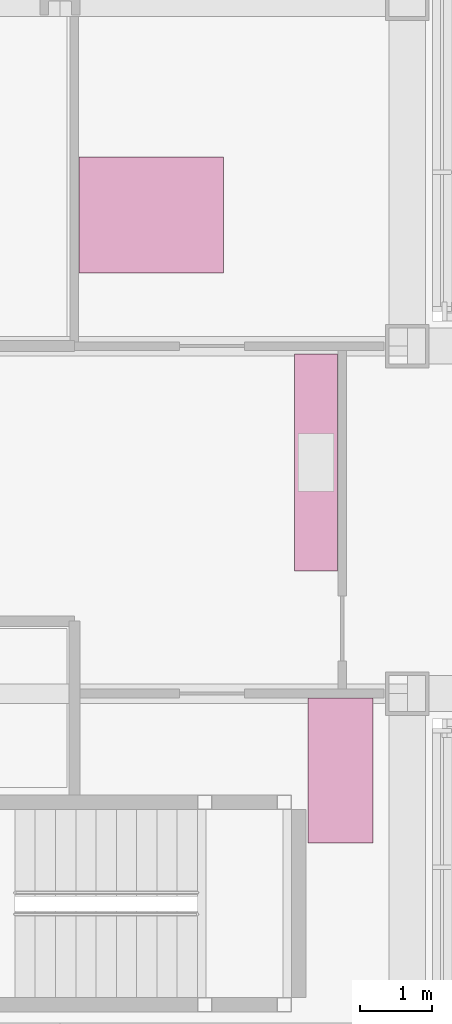
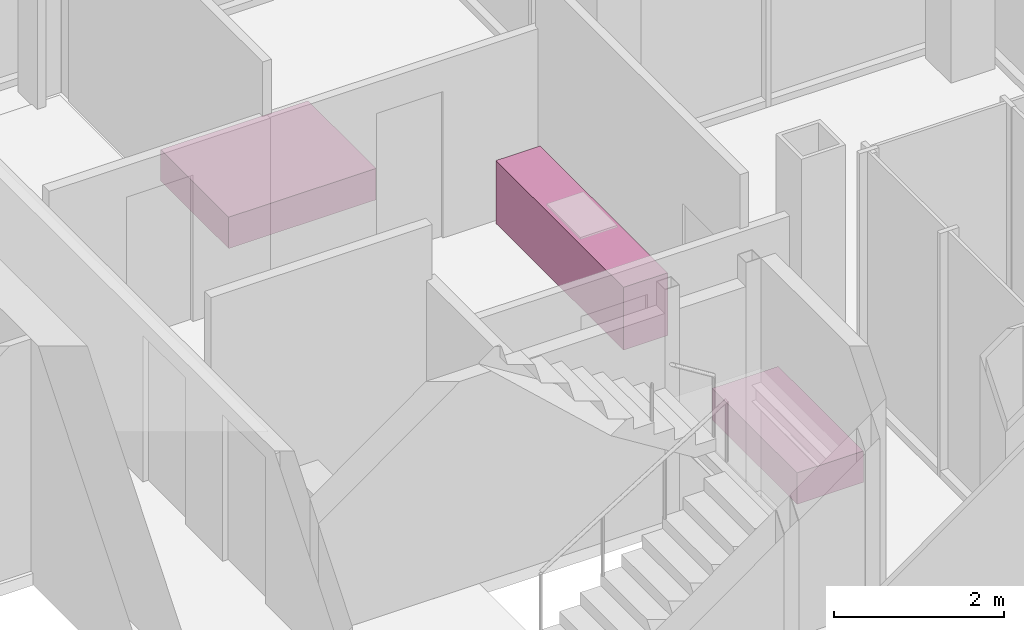
# One storey, part 15 of 15: 3 furniture elements.
"""IFC4 building model written with IfcOpenShell, lengths in metres."""

from ifc_helpers import new_model, si_unit, direction, frame, origin, origin_2d, place, context, subcontext, project, spatial, rectangle, extrude, material, type_object, element, save


model = new_model("IFC4")

# Units and contexts
model_context = context("Model", 3, precision=1e-05, world=origin(), true_north=direction((0.0, 1.0)))
body_context = subcontext(model_context, "Body", "Model", "MODEL_VIEW")
ifc_project = project(units=[si_unit("LENGTHUNIT", "METRE"), si_unit("AREAUNIT", "SQUARE_METRE"), si_unit("VOLUMEUNIT", "CUBIC_METRE"), si_unit("PLANEANGLEUNIT", "RADIAN"), si_unit("MASSUNIT", "GRAM", prefix="KILO")], contexts=[model_context])

# Site, building, storey
site_placement = place(None, origin())
site = spatial("IfcSite", under=ifc_project, at=site_placement, CompositionType="ELEMENT")
building_placement = place(site_placement, origin())
building = spatial("IfcBuilding", under=site, at=building_placement, Name="Kvirike Care Tower", CompositionType="ELEMENT")
storey_placement = place(building_placement, frame((0.0, 0.0, 233.0)))
storey = spatial("IfcBuildingStorey", under=building, at=storey_placement, Name="L64", CompositionType="ELEMENT", Elevation=233.0)

# Furniture
ifc_material_1 = material(Name="Timber", Category="wood")
furniture_type_1 = type_object("IfcFurnitureType", Name="DOUBLE BED 1600 x 2000", AssemblyPlace="FACTORY", PredefinedType="BED", material=ifc_material_1)
furniture_1_placement = place(storey_placement, frame((34.862060546875, 40.2099609375, 0.0), z_axis=(0.0, 0.0, 1.0), x_axis=(0.0, 1.0, 0.0)))
element("IfcFurniture", 1, at=furniture_1_placement, inside=storey, type_object=furniture_type_1, Name="Double bed L64-022", PredefinedType="BED", context=body_context, shape_type="SweptSolid", body=[
    extrude(rectangle(XDim=1.60009765625, YDim=2.0, at=origin_2d()), origin(), (0.0, 0.0, 1.0), 0.449951171875),
])
ifc_material_2 = material(Name="Laminated board", Category="wood")
furniture_type_2 = type_object("IfcFurnitureType", Name="KITCHEN UNIT RUN 600", AssemblyPlace="FACTORY", PredefinedType="USERDEFINED", material=ifc_material_2)
furniture_2_placement = place(storey_placement, frame((37.137939453125, 36.7900390625, 0.0), z_axis=(0.0, 0.0, 1.0), x_axis=(0.0, -1.0, 0.0)))
element("IfcFurniture", 2, at=furniture_2_placement, inside=storey, type_object=furniture_type_2, Name="Kitchen unit run L64-025", ObjectType="KITCHEN UNIT", PredefinedType="USERDEFINED", context=body_context, shape_type="SweptSolid", body=[
    extrude(rectangle(XDim=3.0, YDim=0.60009765625, at=origin_2d()), origin(), (0.0, 0.0, 1.0), 0.89990234375),
])
ifc_material_3 = material(Name="Timber", Category="wood")
furniture_type_3 = type_object("IfcFurnitureType", Name="SINGLE BED 900 x 2000", AssemblyPlace="FACTORY", PredefinedType="BED", material=ifc_material_3)
furniture_3_placement = place(storey_placement, frame((37.47509765625, 32.5380859375, 0.0), z_axis=(0.0, 0.0, 1.0), x_axis=(1.0, 0.0, 0.0)))
element("IfcFurniture", 3, at=furniture_3_placement, inside=storey, type_object=furniture_type_3, Name="Single bed L64-020", PredefinedType="BED", context=body_context, shape_type="SweptSolid", body=[
    extrude(rectangle(XDim=0.89990234375, YDim=2.0, at=origin_2d()), origin(), (0.0, 0.0, 1.0), 0.449951171875),
])

save(model, "model.ifc")
